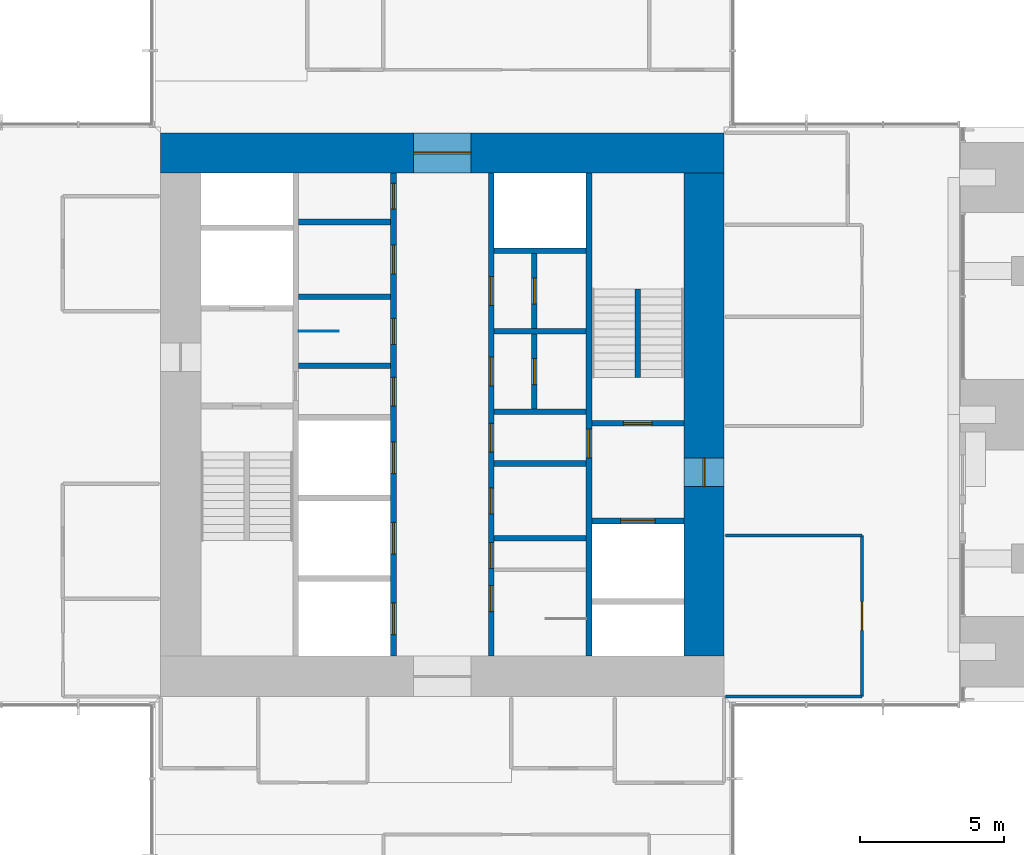
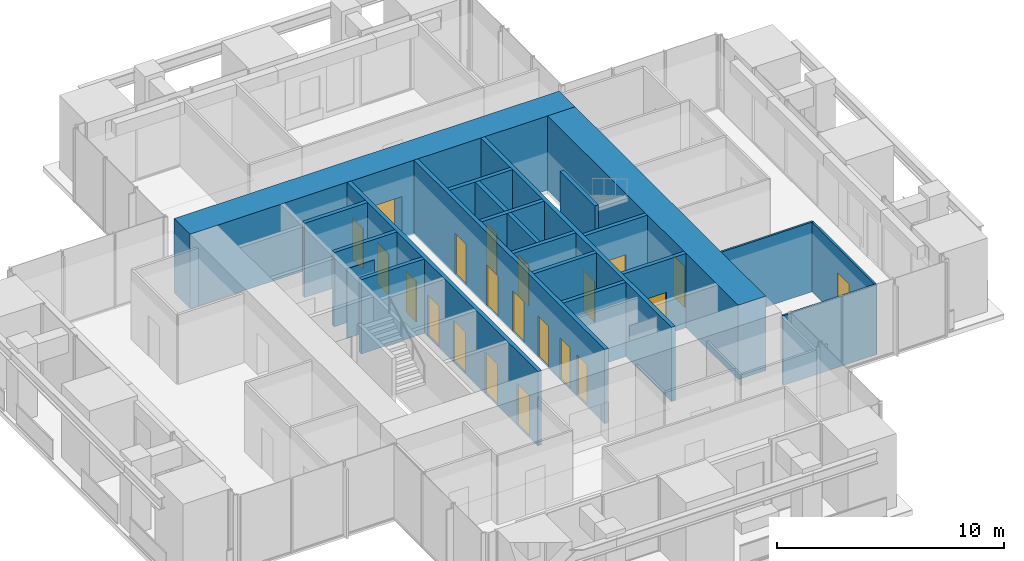
# One storey, part 13 of 17: 22 walls, 21 doors, 21 openings.
"""IFC4 building model written with IfcOpenShell, lengths in metres."""

from ifc_helpers import new_model, si_unit, direction, frame, frame_2d, origin, place, context, subcontext, project, spatial, rectangle, extrude, material, layer, layer_set, type_object, element, fill, save


model = new_model("IFC4")

# Units and contexts
model_context = context("Model", 3, precision=1e-05, world=origin(), true_north=direction((0.0, 1.0)))
body_context = subcontext(model_context, "Body", "Model", "MODEL_VIEW")
ifc_project = project(units=[si_unit("LENGTHUNIT", "METRE"), si_unit("AREAUNIT", "SQUARE_METRE"), si_unit("VOLUMEUNIT", "CUBIC_METRE"), si_unit("PLANEANGLEUNIT", "RADIAN"), si_unit("MASSUNIT", "GRAM", prefix="KILO")], contexts=[model_context])

# Site, building, storey
site_placement = place(None, origin())
site = spatial("IfcSite", under=ifc_project, at=site_placement, CompositionType="ELEMENT")
building_placement = place(site_placement, origin())
building = spatial("IfcBuilding", under=site, at=building_placement, Name="Svetlomir Tower", CompositionType="ELEMENT")
storey_placement = place(building_placement, frame((0.0, 0.0, 194.5)))
storey = spatial("IfcBuildingStorey", under=building, at=storey_placement, Name="L46", CompositionType="ELEMENT", Elevation=194.5)

# Wall, openings, doors
ifc_material_1 = material(Name="Concrete C60/75", Category="concrete")
ifc_layer_1 = layer(ifc_material_1, 0.199951171875)
ifc_layer_set_1 = layer_set([ifc_layer_1], Name="Concrete C60/75")
wall_type_1 = type_object("IfcWallType", Name="CORE INNER WALL 200", PredefinedType="SHEAR", material=ifc_layer_set_1)
wall_1_placement = place(storey_placement, frame((19.300048828125, 12.60009765625, -0.050048828125), z_axis=(0.0, 0.0, 1.0), x_axis=(0.0, 1.0, 0.0)))
wall_1 = element("IfcWall", 1, at=wall_1_placement, inside=storey, type_object=wall_type_1, Name="Core inner wall 19.3 L46", PredefinedType="SHEAR", context=body_context, shape_type="SweptSolid", body=[
    extrude(rectangle(XDim=16.7998046875, YDim=0.199951171875, at=frame_2d((8.39990234375, 0.0))), origin(), (0.0, 0.0, 1.0), 4.0),
])
opening_1_placement = place(wall_1_placement, frame((8.699951171875, 0.0, 0.050048828125)))
opening_1 = element("IfcOpeningElement", 2, at=opening_1_placement, cuts=wall_1, Name="Opening DC", PredefinedType="OPENING", context=body_context, shape_type="SweptSolid", body=[
    extrude(rectangle(XDim=1.0, YDim=2.199951171875, at=frame_2d((0.5, 1.10009765625))), frame((0.0, 0.10986328125, 0.0), z_axis=(0.0, -1.0, 0.0), x_axis=(1.0, 0.0, 0.0)), (0.0, 0.0, 1.0), 0.219970703125),
])
opening_2_placement = place(wall_1_placement, frame((10.85009765625, 0.0, 0.050048828125)))
opening_2 = element("IfcOpeningElement", 3, at=opening_2_placement, cuts=wall_1, Name="Opening DW", PredefinedType="OPENING", context=body_context, shape_type="SweptSolid", body=[
    extrude(rectangle(XDim=0.89990234375, YDim=2.199951171875, at=frame_2d((0.449951171875, 1.10009765625))), frame((0.0, 0.10986328125, 0.0), z_axis=(0.0, -1.0, 0.0), x_axis=(1.0, 0.0, 0.0)), (0.0, 0.0, 1.0), 0.219970703125),
])
opening_3_placement = place(wall_1_placement, frame((13.300048828125, 0.0, 0.050048828125)))
opening_3 = element("IfcOpeningElement", 4, at=opening_3_placement, cuts=wall_1, Name="Opening DC", PredefinedType="OPENING", context=body_context, shape_type="SweptSolid", body=[
    extrude(rectangle(XDim=1.0, YDim=2.199951171875, at=frame_2d((0.5, 1.10009765625))), frame((0.0, 0.10986328125, 0.0), z_axis=(0.0, -1.0, 0.0), x_axis=(1.0, 0.0, 0.0)), (0.0, 0.0, 1.0), 0.219970703125),
])
opening_4_placement = place(wall_1_placement, frame((15.550048828125, 0.0, 0.050048828125)))
opening_4 = element("IfcOpeningElement", 5, at=opening_4_placement, cuts=wall_1, Name="Opening DW", PredefinedType="OPENING", context=body_context, shape_type="SweptSolid", body=[
    extrude(rectangle(XDim=0.89990234375, YDim=2.199951171875, at=frame_2d((0.449951171875, 1.10009765625))), frame((0.0, 0.10986328125, 0.0), z_axis=(0.0, -1.0, 0.0), x_axis=(1.0, 0.0, 0.0)), (0.0, 0.0, 1.0), 0.219970703125),
])
opening_5_placement = place(wall_1_placement, frame((0.75, 0.0, 0.050048828125)))
opening_5 = element("IfcOpeningElement", 6, at=opening_5_placement, cuts=wall_1, Name="Opening LD", PredefinedType="OPENING", context=body_context, shape_type="SweptSolid", body=[
    extrude(rectangle(XDim=1.10009765625, YDim=2.199951171875, at=frame_2d((0.550048828125, 1.10009765625))), frame((0.0, 0.10986328125, 0.0), z_axis=(0.0, -1.0, 0.0), x_axis=(1.0, 0.0, 0.0)), (0.0, 0.0, 1.0), 0.219970703125),
])
opening_6_placement = place(wall_1_placement, frame((3.550048828125, 0.0, 0.050048828125)))
opening_6 = element("IfcOpeningElement", 7, at=opening_6_placement, cuts=wall_1, Name="Opening LD", PredefinedType="OPENING", context=body_context, shape_type="SweptSolid", body=[
    extrude(rectangle(XDim=1.10009765625, YDim=2.199951171875, at=frame_2d((0.550048828125, 1.10009765625))), frame((0.0, 0.10986328125, 0.0), z_axis=(0.0, -1.0, 0.0), x_axis=(1.0, 0.0, 0.0)), (0.0, 0.0, 1.0), 0.219970703125),
])
opening_7_placement = place(wall_1_placement, frame((6.35009765625, 0.0, 0.050048828125)))
opening_7 = element("IfcOpeningElement", 8, at=opening_7_placement, cuts=wall_1, Name="Opening LD", PredefinedType="OPENING", context=body_context, shape_type="SweptSolid", body=[
    extrude(rectangle(XDim=1.10009765625, YDim=2.199951171875, at=frame_2d((0.550048828125, 1.10009765625))), frame((0.0, 0.10986328125, 0.0), z_axis=(0.0, -1.0, 0.0), x_axis=(1.0, 0.0, 0.0)), (0.0, 0.0, 1.0), 0.219970703125),
])
ifc_material_2 = material(Name="Timber fire door", Category="wood")
door_type_1 = type_object("IfcDoorType", Name="DOOR DC 1000x2200", OperationType="SINGLE_SWING_LEFT", PredefinedType="DOOR", material=ifc_material_2)
door_1_placement = place(opening_1_placement, origin())
door_1 = element("IfcDoor", 9, at=door_1_placement, inside=storey, type_object=door_type_1, Name="Core corridor west lobby door L46", OperationType="SINGLE_SWING_RIGHT", OverallHeight=2.199951171875, OverallWidth=1.0, PredefinedType="DOOR", context=body_context, shape_type="SweptSolid", body=[
    extrude(rectangle(XDim=1.0, YDim=2.199951171875, at=frame_2d((0.5, 1.10009765625))), frame((0.0, 0.02490234375, 0.0), z_axis=(0.0, -1.0, 0.0), x_axis=(1.0, 0.0, 0.0)), (0.0, 0.0, 1.0), 0.050048828125),
])
fill(opening_1, door_1)
door_2_placement = place(opening_3_placement, origin())
door_2 = element("IfcDoor", 10, at=door_2_placement, inside=storey, type_object=door_type_1, Name="Accessible WC door L46", OperationType="SINGLE_SWING_LEFT", OverallHeight=2.199951171875, OverallWidth=1.0, PredefinedType="DOOR", context=body_context, shape_type="SweptSolid", body=[
    extrude(rectangle(XDim=1.0, YDim=2.199951171875, at=frame_2d((0.5, 1.10009765625))), frame((0.0, 0.02490234375, 0.0), z_axis=(0.0, -1.0, 0.0), x_axis=(1.0, 0.0, 0.0)), (0.0, 0.0, 1.0), 0.050048828125),
])
fill(opening_3, door_2)
ifc_material_3 = material(Name="Timber fire door", Category="wood")
door_type_2 = type_object("IfcDoorType", Name="DOOR DW 900x2200", OperationType="SINGLE_SWING_LEFT", PredefinedType="DOOR", material=ifc_material_3)
door_3_placement = place(opening_2_placement, origin())
door_3 = element("IfcDoor", 11, at=door_3_placement, inside=storey, type_object=door_type_2, Name="Female WC door L46", OperationType="SINGLE_SWING_RIGHT", OverallHeight=2.199951171875, OverallWidth=0.89990234375, PredefinedType="DOOR", context=body_context, shape_type="SweptSolid", body=[
    extrude(rectangle(XDim=0.89990234375, YDim=2.199951171875, at=frame_2d((0.449951171875, 1.10009765625))), frame((0.0, 0.02490234375, 0.0), z_axis=(0.0, -1.0, 0.0), x_axis=(1.0, 0.0, 0.0)), (0.0, 0.0, 1.0), 0.050048828125),
])
fill(opening_2, door_3)
door_4_placement = place(opening_4_placement, origin())
door_4 = element("IfcDoor", 12, at=door_4_placement, inside=storey, type_object=door_type_2, Name="First aid room door L46", OperationType="SINGLE_SWING_RIGHT", OverallHeight=2.199951171875, OverallWidth=0.89990234375, PredefinedType="DOOR", context=body_context, shape_type="SweptSolid", body=[
    extrude(rectangle(XDim=0.89990234375, YDim=2.199951171875, at=frame_2d((0.449951171875, 1.10009765625))), frame((0.0, 0.02490234375, 0.0), z_axis=(0.0, -1.0, 0.0), x_axis=(1.0, 0.0, 0.0)), (0.0, 0.0, 1.0), 0.050048828125),
])
fill(opening_4, door_4)
ifc_material_4 = material(Name="Stainless steel landing door", Category="steel")
door_type_3 = type_object("IfcDoorType", Name="LIFT LANDING DOOR LD 1100x2200", OperationType="DOUBLE_DOOR_SLIDING", PredefinedType="DOOR", material=ifc_material_4)
door_5_placement = place(opening_5_placement, origin())
door_5 = element("IfcDoor", 13, at=door_5_placement, inside=storey, type_object=door_type_3, Name="Landing door lift LC1 L46", OperationType="DOUBLE_DOOR_SLIDING", OverallHeight=2.199951171875, OverallWidth=1.10009765625, PredefinedType="DOOR", context=body_context, shape_type="SweptSolid", body=[
    extrude(rectangle(XDim=1.10009765625, YDim=2.199951171875, at=frame_2d((0.550048828125, 1.10009765625))), frame((0.0, 0.02490234375, 0.0), z_axis=(0.0, -1.0, 0.0), x_axis=(1.0, 0.0, 0.0)), (0.0, 0.0, 1.0), 0.050048828125),
])
fill(opening_5, door_5)
door_6_placement = place(opening_6_placement, origin())
door_6 = element("IfcDoor", 14, at=door_6_placement, inside=storey, type_object=door_type_3, Name="Landing door lift LC2 L46", OperationType="DOUBLE_DOOR_SLIDING", OverallHeight=2.199951171875, OverallWidth=1.10009765625, PredefinedType="DOOR", context=body_context, shape_type="SweptSolid", body=[
    extrude(rectangle(XDim=1.10009765625, YDim=2.199951171875, at=frame_2d((0.550048828125, 1.10009765625))), frame((0.0, 0.02490234375, 0.0), z_axis=(0.0, -1.0, 0.0), x_axis=(1.0, 0.0, 0.0)), (0.0, 0.0, 1.0), 0.050048828125),
])
fill(opening_6, door_6)
door_7_placement = place(opening_7_placement, origin())
door_7 = element("IfcDoor", 15, at=door_7_placement, inside=storey, type_object=door_type_3, Name="Landing door lift LC3 L46", OperationType="DOUBLE_DOOR_SLIDING", OverallHeight=2.199951171875, OverallWidth=1.10009765625, PredefinedType="DOOR", context=body_context, shape_type="SweptSolid", body=[
    extrude(rectangle(XDim=1.10009765625, YDim=2.199951171875, at=frame_2d((0.550048828125, 1.10009765625))), frame((0.0, 0.02490234375, 0.0), z_axis=(0.0, -1.0, 0.0), x_axis=(1.0, 0.0, 0.0)), (0.0, 0.0, 1.0), 0.050048828125),
])
fill(opening_7, door_7)

wall_2_placement = place(storey_placement, frame((22.699951171875, 12.60009765625, -0.050048828125), z_axis=(0.0, 0.0, 1.0), x_axis=(0.0, 1.0, 0.0)))
wall_2 = element("IfcWall", 16, at=wall_2_placement, inside=storey, type_object=wall_type_1, Name="Core inner wall 22.7 L46", PredefinedType="SHEAR", context=body_context, shape_type="SweptSolid", body=[
    extrude(rectangle(XDim=16.7998046875, YDim=0.199951171875, at=frame_2d((8.39990234375, 0.0))), origin(), (0.0, 0.0, 1.0), 4.0),
])
opening_8_placement = place(wall_2_placement, frame((3.050048828125, 0.0, 0.050048828125)))
opening_8 = element("IfcOpeningElement", 17, at=opening_8_placement, cuts=wall_2, Name="Opening DW", PredefinedType="OPENING", context=body_context, shape_type="SweptSolid", body=[
    extrude(rectangle(XDim=0.89990234375, YDim=2.199951171875, at=frame_2d((0.449951171875, 1.10009765625))), frame((0.0, 0.10986328125, 0.0), z_axis=(0.0, -1.0, 0.0), x_axis=(1.0, 0.0, 0.0)), (0.0, 0.0, 1.0), 0.219970703125),
])
opening_9_placement = place(wall_2_placement, frame((7.10009765625, 0.0, 0.050048828125)))
opening_9 = element("IfcOpeningElement", 18, at=opening_9_placement, cuts=wall_2, Name="Opening DC", PredefinedType="OPENING", context=body_context, shape_type="SweptSolid", body=[
    extrude(rectangle(XDim=1.0, YDim=2.199951171875, at=frame_2d((0.5, 1.10009765625))), frame((0.0, 0.10986328125, 0.0), z_axis=(0.0, -1.0, 0.0), x_axis=(1.0, 0.0, 0.0)), (0.0, 0.0, 1.0), 0.219970703125),
])
opening_10_placement = place(wall_2_placement, frame((1.550048828125, 0.0, 0.050048828125)))
opening_10 = element("IfcOpeningElement", 19, at=opening_10_placement, cuts=wall_2, Name="Opening DW", PredefinedType="OPENING", context=body_context, shape_type="SweptSolid", body=[
    extrude(rectangle(XDim=0.89990234375, YDim=2.199951171875, at=frame_2d((0.449951171875, 1.10009765625))), frame((0.0, 0.10986328125, 0.0), z_axis=(0.0, -1.0, 0.0), x_axis=(1.0, 0.0, 0.0)), (0.0, 0.0, 1.0), 0.219970703125),
])
opening_11_placement = place(wall_2_placement, frame((4.949951171875, 0.0, 0.050048828125)))
opening_11 = element("IfcOpeningElement", 20, at=opening_11_placement, cuts=wall_2, Name="Opening DW", PredefinedType="OPENING", context=body_context, shape_type="SweptSolid", body=[
    extrude(rectangle(XDim=0.89990234375, YDim=2.199951171875, at=frame_2d((0.449951171875, 1.10009765625))), frame((0.0, 0.10986328125, 0.0), z_axis=(0.0, -1.0, 0.0), x_axis=(1.0, 0.0, 0.0)), (0.0, 0.0, 1.0), 0.219970703125),
])
opening_12_placement = place(wall_2_placement, frame((9.39990234375, 0.0, 0.050048828125)))
opening_12 = element("IfcOpeningElement", 21, at=opening_12_placement, cuts=wall_2, Name="Opening DC", PredefinedType="OPENING", context=body_context, shape_type="SweptSolid", body=[
    extrude(rectangle(XDim=1.0, YDim=2.199951171875, at=frame_2d((0.5, 1.10009765625))), frame((0.0, 0.10986328125, 0.0), z_axis=(0.0, -1.0, 0.0), x_axis=(1.0, 0.0, 0.0)), (0.0, 0.0, 1.0), 0.219970703125),
])
opening_13_placement = place(wall_2_placement, frame((12.199951171875, 0.0, 0.050048828125)))
opening_13 = element("IfcOpeningElement", 22, at=opening_13_placement, cuts=wall_2, Name="Opening DC", PredefinedType="OPENING", context=body_context, shape_type="SweptSolid", body=[
    extrude(rectangle(XDim=1.0, YDim=2.199951171875, at=frame_2d((0.5, 1.10009765625))), frame((0.0, 0.10986328125, 0.0), z_axis=(0.0, -1.0, 0.0), x_axis=(1.0, 0.0, 0.0)), (0.0, 0.0, 1.0), 0.219970703125),
])
door_8_placement = place(opening_9_placement, origin())
door_8 = element("IfcDoor", 23, at=door_8_placement, inside=storey, type_object=door_type_1, Name="Core corridor east lobby door L46", OperationType="SINGLE_SWING_LEFT", OverallHeight=2.199951171875, OverallWidth=1.0, PredefinedType="DOOR", context=body_context, shape_type="SweptSolid", body=[
    extrude(rectangle(XDim=1.0, YDim=2.199951171875, at=frame_2d((0.5, 1.10009765625))), frame((0.0, 0.02490234375, 0.0), z_axis=(0.0, -1.0, 0.0), x_axis=(1.0, 0.0, 0.0)), (0.0, 0.0, 1.0), 0.050048828125),
])
fill(opening_9, door_8)
door_9_placement = place(opening_12_placement, origin())
door_9 = element("IfcDoor", 24, at=door_9_placement, inside=storey, type_object=door_type_1, Name="Converted shaft BANK-E1 room door L46", OperationType="SINGLE_SWING_LEFT", OverallHeight=2.199951171875, OverallWidth=1.0, PredefinedType="DOOR", context=body_context, shape_type="SweptSolid", body=[
    extrude(rectangle(XDim=1.0, YDim=2.199951171875, at=frame_2d((0.5, 1.10009765625))), frame((0.0, 0.02490234375, 0.0), z_axis=(0.0, -1.0, 0.0), x_axis=(1.0, 0.0, 0.0)), (0.0, 0.0, 1.0), 0.050048828125),
])
fill(opening_12, door_9)
door_10_placement = place(opening_13_placement, origin())
door_10 = element("IfcDoor", 25, at=door_10_placement, inside=storey, type_object=door_type_1, Name="Converted shaft BANK-E2 room door L46", OperationType="SINGLE_SWING_LEFT", OverallHeight=2.199951171875, OverallWidth=1.0, PredefinedType="DOOR", context=body_context, shape_type="SweptSolid", body=[
    extrude(rectangle(XDim=1.0, YDim=2.199951171875, at=frame_2d((0.5, 1.10009765625))), frame((0.0, 0.02490234375, 0.0), z_axis=(0.0, -1.0, 0.0), x_axis=(1.0, 0.0, 0.0)), (0.0, 0.0, 1.0), 0.050048828125),
])
fill(opening_13, door_10)
door_11_placement = place(opening_8_placement, origin())
door_11 = element("IfcDoor", 26, at=door_11_placement, inside=storey, type_object=door_type_2, Name="Shower and changing room door L46", OperationType="SINGLE_SWING_LEFT", OverallHeight=2.199951171875, OverallWidth=0.89990234375, PredefinedType="DOOR", context=body_context, shape_type="SweptSolid", body=[
    extrude(rectangle(XDim=0.89990234375, YDim=2.199951171875, at=frame_2d((0.449951171875, 1.10009765625))), frame((0.0, 0.02490234375, 0.0), z_axis=(0.0, -1.0, 0.0), x_axis=(1.0, 0.0, 0.0)), (0.0, 0.0, 1.0), 0.050048828125),
])
fill(opening_8, door_11)
door_12_placement = place(opening_10_placement, origin())
door_12 = element("IfcDoor", 27, at=door_12_placement, inside=storey, type_object=door_type_2, Name="Male WC door L46", OperationType="SINGLE_SWING_RIGHT", OverallHeight=2.199951171875, OverallWidth=0.89990234375, PredefinedType="DOOR", context=body_context, shape_type="SweptSolid", body=[
    extrude(rectangle(XDim=0.89990234375, YDim=2.199951171875, at=frame_2d((0.449951171875, 1.10009765625))), frame((0.0, 0.02490234375, 0.0), z_axis=(0.0, -1.0, 0.0), x_axis=(1.0, 0.0, 0.0)), (0.0, 0.0, 1.0), 0.050048828125),
])
fill(opening_10, door_12)
door_13_placement = place(opening_11_placement, origin())
door_13 = element("IfcDoor", 28, at=door_13_placement, inside=storey, type_object=door_type_2, Name="Comms room door L46", OperationType="SINGLE_SWING_RIGHT", OverallHeight=2.199951171875, OverallWidth=0.89990234375, PredefinedType="DOOR", context=body_context, shape_type="SweptSolid", body=[
    extrude(rectangle(XDim=0.89990234375, YDim=2.199951171875, at=frame_2d((0.449951171875, 1.10009765625))), frame((0.0, 0.02490234375, 0.0), z_axis=(0.0, -1.0, 0.0), x_axis=(1.0, 0.0, 0.0)), (0.0, 0.0, 1.0), 0.050048828125),
])
fill(opening_11, door_13)

# Wall, opening, door
wall_3_placement = place(storey_placement, frame((26.10009765625, 12.60009765625, -0.050048828125), z_axis=(0.0, 0.0, 1.0), x_axis=(0.0, 1.0, 0.0)))
wall_3 = element("IfcWall", 29, at=wall_3_placement, inside=storey, type_object=wall_type_1, Name="Core inner wall 26.1 L46", PredefinedType="SHEAR", context=body_context, shape_type="SweptSolid", body=[
    extrude(rectangle(XDim=16.7998046875, YDim=0.199951171875, at=frame_2d((8.39990234375, 0.0))), origin(), (0.0, 0.0, 1.0), 4.0),
])
opening_14_placement = place(wall_3_placement, frame((6.89990234375, 0.0, 0.050048828125)))
opening_14 = element("IfcOpeningElement", 30, at=opening_14_placement, cuts=wall_3, Name="Opening DF", PredefinedType="OPENING", context=body_context, shape_type="SweptSolid", body=[
    extrude(rectangle(XDim=1.0, YDim=2.199951171875, at=frame_2d((0.5, 1.10009765625))), frame((0.0, 0.10986328125, 0.0), z_axis=(0.0, -1.0, 0.0), x_axis=(1.0, 0.0, 0.0)), (0.0, 0.0, 1.0), 0.219970703125),
])
ifc_material_5 = material(Name="Steel fire door", Category="steel")
door_type_4 = type_object("IfcDoorType", Name="DOOR DF 1000x2200", OperationType="SINGLE_SWING_LEFT", PredefinedType="DOOR", material=ifc_material_5)
door_14_placement = place(opening_14_placement, origin())
door_14 = element("IfcDoor", 31, at=door_14_placement, inside=storey, type_object=door_type_4, Name="Core corridor east door L46", OperationType="SINGLE_SWING_LEFT", OverallHeight=2.199951171875, OverallWidth=1.0, PredefinedType="DOOR", context=body_context, shape_type="SweptSolid", body=[
    extrude(rectangle(XDim=1.0, YDim=2.199951171875, at=frame_2d((0.5, 1.10009765625))), frame((0.0, 0.02490234375, 0.0), z_axis=(0.0, -1.0, 0.0), x_axis=(1.0, 0.0, 0.0)), (0.0, 0.0, 1.0), 0.050048828125),
])
fill(opening_14, door_14)

# Walls
for number, where, z_axis, x_axis, name in (
    (32, (16.0, 22.699951171875, -0.050048828125), (0.0, 0.0, 1.0), (1.0, 0.0, 0.0), "Core inner wall 16-19.2/22.7 L46"),
    (33, (16.0, 25.10009765625, -0.050048828125), (0.0, 0.0, 1.0), (1.0, 0.0, 0.0), "Core inner wall 16-19.2/25.1 L46"),
    (34, (16.0, 27.699951171875, -0.050048828125), (0.0, 0.0, 1.0), (1.0, 0.0, 0.0), "Core inner wall 16-19.2/27.7 L46"),
    (35, (22.800048828125, 16.699951171875, -0.050048828125), (0.0, 0.0, 1.0), (1.0, 0.0, 0.0), "Core inner wall 22.8-26/16.7 L46"),
    (36, (22.800048828125, 19.300048828125, -0.050048828125), (0.0, 0.0, 1.0), (1.0, 0.0, 0.0), "Core inner wall 22.8-26/19.3 L46"),
    (37, (22.800048828125, 21.10009765625, -0.050048828125), (0.0, 0.0, 1.0), (1.0, 0.0, 0.0), "Core inner wall 22.8-26/21.1 L46"),
    (38, (22.800048828125, 23.89990234375, -0.050048828125), (0.0, 0.0, 1.0), (1.0, 0.0, 0.0), "Core inner wall 22.8-26/23.9 L46"),
    (39, (22.800048828125, 26.699951171875, -0.050048828125), (0.0, 0.0, 1.0), (1.0, 0.0, 0.0), "Core inner wall 22.8-26/26.7 L46"),
):
    element("IfcWall", number, at=place(storey_placement, frame(where, z_axis=z_axis, x_axis=x_axis)), inside=storey, type_object=wall_type_1, Name=name, PredefinedType="SHEAR", context=body_context, shape_type="SweptSolid", body=[
        extrude(rectangle(XDim=3.199951171875, YDim=0.199951171875, at=frame_2d((1.60009765625, 0.0))), origin(), (0.0, 0.0, 1.0), 4.0),
    ])

# Wall, opening, door
wall_4_placement = place(storey_placement, frame((26.199951171875, 17.300048828125, -0.050048828125), z_axis=(0.0, 0.0, 1.0), x_axis=(1.0, 0.0, 0.0)))
wall_4 = element("IfcWall", 40, at=wall_4_placement, inside=storey, type_object=wall_type_1, Name="Core inner wall 26.2-29.4/17.3 L46", PredefinedType="SHEAR", context=body_context, shape_type="SweptSolid", body=[
    extrude(rectangle(XDim=3.199951171875, YDim=0.199951171875, at=frame_2d((1.60009765625, 0.0))), origin(), (0.0, 0.0, 1.0), 4.0),
])
opening_15_placement = place(wall_4_placement, frame((1.0, 0.0, 0.050048828125)))
opening_15 = element("IfcOpeningElement", 41, at=opening_15_placement, cuts=wall_4, Name="Opening LD3", PredefinedType="OPENING", context=body_context, shape_type="SweptSolid", body=[
    extrude(rectangle(XDim=1.199951171875, YDim=2.199951171875, at=frame_2d((0.60009765625, 1.10009765625))), frame((0.0, 0.10986328125, 0.0), z_axis=(0.0, -1.0, 0.0), x_axis=(1.0, 0.0, 0.0)), (0.0, 0.0, 1.0), 0.219970703125),
])
ifc_material_6 = material(Name="Stainless steel fire-rated landing door", Category="steel")
door_type_5 = type_object("IfcDoorType", Name="FIREFIGHTING LIFT LANDING DOOR LD3 1200x2200", OperationType="DOUBLE_DOOR_SLIDING", PredefinedType="DOOR", material=ifc_material_6)
door_15_placement = place(opening_15_placement, origin())
door_15 = element("IfcDoor", 42, at=door_15_placement, inside=storey, type_object=door_type_5, Name="Landing door lift FL2 L46", OperationType="DOUBLE_DOOR_SLIDING", OverallHeight=2.199951171875, OverallWidth=1.199951171875, PredefinedType="DOOR", context=body_context, shape_type="SweptSolid", body=[
    extrude(rectangle(XDim=1.199951171875, YDim=2.199951171875, at=frame_2d((0.60009765625, 1.10009765625))), frame((0.0, 0.02490234375, 0.0), z_axis=(0.0, -1.0, 0.0), x_axis=(1.0, 0.0, 0.0)), (0.0, 0.0, 1.0), 0.050048828125),
])
fill(opening_15, door_15)

wall_5_placement = place(storey_placement, frame((26.199951171875, 20.699951171875, -0.050048828125), z_axis=(0.0, 0.0, 1.0), x_axis=(1.0, 0.0, 0.0)))
wall_5 = element("IfcWall", 43, at=wall_5_placement, inside=storey, type_object=wall_type_1, Name="Core inner wall 26.2-29.4/20.7 L46", PredefinedType="SHEAR", context=body_context, shape_type="SweptSolid", body=[
    extrude(rectangle(XDim=3.199951171875, YDim=0.199951171875, at=frame_2d((1.60009765625, 0.0))), origin(), (0.0, 0.0, 1.0), 4.0),
])
opening_16_placement = place(wall_5_placement, frame((1.10009765625, 0.0, 0.050048828125)))
opening_16 = element("IfcOpeningElement", 44, at=opening_16_placement, cuts=wall_5, Name="Opening DF", PredefinedType="OPENING", context=body_context, shape_type="SweptSolid", body=[
    extrude(rectangle(XDim=1.0, YDim=2.199951171875, at=frame_2d((0.5, 1.10009765625))), frame((0.0, 0.10986328125, 0.0), z_axis=(0.0, -1.0, 0.0), x_axis=(1.0, 0.0, 0.0)), (0.0, 0.0, 1.0), 0.219970703125),
])
door_16_placement = place(opening_16_placement, origin())
door_16 = element("IfcDoor", 45, at=door_16_placement, inside=storey, type_object=door_type_4, Name="Stair S2 door L46", OperationType="SINGLE_SWING_LEFT", OverallHeight=2.199951171875, OverallWidth=1.0, PredefinedType="DOOR", context=body_context, shape_type="SweptSolid", body=[
    extrude(rectangle(XDim=1.0, YDim=2.199951171875, at=frame_2d((0.5, 1.10009765625))), frame((0.0, 0.02490234375, 0.0), z_axis=(0.0, -1.0, 0.0), x_axis=(1.0, 0.0, 0.0)), (0.0, 0.0, 1.0), 0.050048828125),
])
fill(opening_16, door_16)

wall_6_placement = place(storey_placement, frame((24.199951171875, 21.199951171875, -0.050048828125), z_axis=(0.0, 0.0, 1.0), x_axis=(0.0, 1.0, 0.0)))
wall_6 = element("IfcWall", 46, at=wall_6_placement, inside=storey, type_object=wall_type_1, Name="Core inner wall 24.2/21.2-23.8 L46", PredefinedType="SHEAR", context=body_context, shape_type="SweptSolid", body=[
    extrude(rectangle(XDim=2.60009765625, YDim=0.199951171875, at=frame_2d((1.300048828125, 0.0))), origin(), (0.0, 0.0, 1.0), 4.0),
])
opening_17_placement = place(wall_6_placement, frame((0.85009765625, 0.0, 0.050048828125)))
opening_17 = element("IfcOpeningElement", 47, at=opening_17_placement, cuts=wall_6, Name="Opening DW", PredefinedType="OPENING", context=body_context, shape_type="SweptSolid", body=[
    extrude(rectangle(XDim=0.89990234375, YDim=2.199951171875, at=frame_2d((0.449951171875, 1.10009765625))), frame((0.0, 0.10986328125, 0.0), z_axis=(0.0, -1.0, 0.0), x_axis=(1.0, 0.0, 0.0)), (0.0, 0.0, 1.0), 0.219970703125),
])
door_17_placement = place(opening_17_placement, origin())
door_17 = element("IfcDoor", 48, at=door_17_placement, inside=storey, type_object=door_type_2, Name="Converted shaft BANK-E1 back room door L46", OperationType="SINGLE_SWING_RIGHT", OverallHeight=2.199951171875, OverallWidth=0.89990234375, PredefinedType="DOOR", context=body_context, shape_type="SweptSolid", body=[
    extrude(rectangle(XDim=0.89990234375, YDim=2.199951171875, at=frame_2d((0.449951171875, 1.10009765625))), frame((0.0, 0.02490234375, 0.0), z_axis=(0.0, -1.0, 0.0), x_axis=(1.0, 0.0, 0.0)), (0.0, 0.0, 1.0), 0.050048828125),
])
fill(opening_17, door_17)

wall_7_placement = place(storey_placement, frame((24.199951171875, 24.0, -0.050048828125), z_axis=(0.0, 0.0, 1.0), x_axis=(0.0, 1.0, 0.0)))
wall_7 = element("IfcWall", 49, at=wall_7_placement, inside=storey, type_object=wall_type_1, Name="Core inner wall 24.2/24-26.6 L46", PredefinedType="SHEAR", context=body_context, shape_type="SweptSolid", body=[
    extrude(rectangle(XDim=2.60009765625, YDim=0.199951171875, at=frame_2d((1.300048828125, 0.0))), origin(), (0.0, 0.0, 1.0), 4.0),
])
opening_18_placement = place(wall_7_placement, frame((0.85009765625, 0.0, 0.050048828125)))
opening_18 = element("IfcOpeningElement", 50, at=opening_18_placement, cuts=wall_7, Name="Opening DW", PredefinedType="OPENING", context=body_context, shape_type="SweptSolid", body=[
    extrude(rectangle(XDim=0.89990234375, YDim=2.199951171875, at=frame_2d((0.449951171875, 1.10009765625))), frame((0.0, 0.10986328125, 0.0), z_axis=(0.0, -1.0, 0.0), x_axis=(1.0, 0.0, 0.0)), (0.0, 0.0, 1.0), 0.219970703125),
])
door_18_placement = place(opening_18_placement, origin())
door_18 = element("IfcDoor", 51, at=door_18_placement, inside=storey, type_object=door_type_2, Name="Converted shaft BANK-E2 back room door L46", OperationType="SINGLE_SWING_RIGHT", OverallHeight=2.199951171875, OverallWidth=0.89990234375, PredefinedType="DOOR", context=body_context, shape_type="SweptSolid", body=[
    extrude(rectangle(XDim=0.89990234375, YDim=2.199951171875, at=frame_2d((0.449951171875, 1.10009765625))), frame((0.0, 0.02490234375, 0.0), z_axis=(0.0, -1.0, 0.0), x_axis=(1.0, 0.0, 0.0)), (0.0, 0.0, 1.0), 0.050048828125),
])
fill(opening_18, door_18)

ifc_material_7 = material(Name="Concrete C60/75", Category="concrete")
ifc_layer_2 = layer(ifc_material_7, 1.39990234375)
ifc_layer_set_2 = layer_set([ifc_layer_2], Name="Concrete C60/75")
wall_type_2 = type_object("IfcWallType", Name="CORE WALL 1400", PredefinedType="SHEAR", material=ifc_layer_set_2)
wall_8_placement = place(storey_placement, frame((11.199951171875, 30.10009765625, -0.050048828125), z_axis=(0.0, 0.0, 1.0), x_axis=(1.0, 0.0, 0.0)))
wall_8 = element("IfcWall", 52, at=wall_8_placement, inside=storey, type_object=wall_type_2, Name="Core wall north L46", PredefinedType="SHEAR", context=body_context, shape_type="SweptSolid", body=[
    extrude(rectangle(XDim=19.60009765625, YDim=1.39990234375, at=frame_2d((9.800048828125, 0.0))), origin(), (0.0, 0.0, 1.0), 4.0),
])
opening_19_placement = place(wall_8_placement, frame((8.800048828125, 0.0, 0.050048828125)))
opening_19 = element("IfcOpeningElement", 53, at=opening_19_placement, cuts=wall_8, Name="Opening DL", PredefinedType="OPENING", context=body_context, shape_type="SweptSolid", body=[
    extrude(rectangle(XDim=2.0, YDim=2.199951171875, at=frame_2d((1.0, 1.10009765625))), frame((0.0, 0.7099609375, 0.0), z_axis=(0.0, -1.0, 0.0), x_axis=(1.0, 0.0, 0.0)), (0.0, 0.0, 1.0), 1.419921875),
])
ifc_material_8 = material(Name="Steel fire door", Category="steel")
door_type_6 = type_object("IfcDoorType", Name="DOOR DL 2000x2200", OperationType="DOUBLE_DOOR_SINGLE_SWING", PredefinedType="DOOR", material=ifc_material_8)
door_19_placement = place(opening_19_placement, origin())
door_19 = element("IfcDoor", 54, at=door_19_placement, inside=storey, type_object=door_type_6, Name="Lift lobby north door L46", OperationType="DOUBLE_DOOR_SINGLE_SWING", OverallHeight=2.199951171875, OverallWidth=2.0, PredefinedType="DOOR", context=body_context, shape_type="SweptSolid", body=[
    extrude(rectangle(XDim=2.0, YDim=2.199951171875, at=frame_2d((1.0, 1.10009765625))), frame((0.0, 0.02490234375, 0.0), z_axis=(0.0, -1.0, 0.0), x_axis=(1.0, 0.0, 0.0)), (0.0, 0.0, 1.0), 0.050048828125),
])
fill(opening_19, door_19)

wall_9_placement = place(storey_placement, frame((30.10009765625, 12.60009765625, -0.050048828125), z_axis=(0.0, 0.0, 1.0), x_axis=(0.0, 1.0, 0.0)))
wall_9 = element("IfcWall", 55, at=wall_9_placement, inside=storey, type_object=wall_type_2, Name="Core wall east L46", PredefinedType="SHEAR", context=body_context, shape_type="SweptSolid", body=[
    extrude(rectangle(XDim=16.7998046875, YDim=1.39990234375, at=frame_2d((8.39990234375, 0.0))), origin(), (0.0, 0.0, 1.0), 4.0),
])
opening_20_placement = place(wall_9_placement, frame((5.89990234375, 0.0, 0.050048828125)))
opening_20 = element("IfcOpeningElement", 56, at=opening_20_placement, cuts=wall_9, Name="Opening DF", PredefinedType="OPENING", context=body_context, shape_type="SweptSolid", body=[
    extrude(rectangle(XDim=1.0, YDim=2.199951171875, at=frame_2d((0.5, 1.10009765625))), frame((0.0, 0.7099609375, 0.0), z_axis=(0.0, -1.0, 0.0), x_axis=(1.0, 0.0, 0.0)), (0.0, 0.0, 1.0), 1.419921875),
])
door_20_placement = place(opening_20_placement, origin())
door_20 = element("IfcDoor", 57, at=door_20_placement, inside=storey, type_object=door_type_4, Name="Firefighting lobby east door L46", OperationType="SINGLE_SWING_LEFT", OverallHeight=2.199951171875, OverallWidth=1.0, PredefinedType="DOOR", context=body_context, shape_type="SweptSolid", body=[
    extrude(rectangle(XDim=1.0, YDim=2.199951171875, at=frame_2d((0.5, 1.10009765625))), frame((0.0, 0.02490234375, 0.0), z_axis=(0.0, -1.0, 0.0), x_axis=(1.0, 0.0, 0.0)), (0.0, 0.0, 1.0), 0.050048828125),
])
fill(opening_20, door_20)

# Walls
ifc_material_9 = material(Name="Framed laminated glass partition", Category="glass")
ifc_layer_3 = layer(ifc_material_9, 0.10009765625)
ifc_layer_set_3 = layer_set([ifc_layer_3], Name="Framed laminated glass partition")
wall_type_3 = type_object("IfcWallType", Name="GLAZED PARTITION 100", PredefinedType="PARTITIONING", material=ifc_layer_set_3)
for number, where, z_axis, x_axis, name in (
    (58, (30.85009765625, 11.199951171875, 0.0), (0.0, 0.0, 1.0), (1.0, 0.0, 0.0), "Glazed partition L46"),
    (59, (30.85009765625, 16.800048828125, 0.0), (0.0, 0.0, 1.0), (1.0, 0.0, 0.0), "Glazed partition L46"),
):
    element("IfcWall", number, at=place(storey_placement, frame(where, z_axis=z_axis, x_axis=x_axis)), inside=storey, type_object=wall_type_3, Name=name, PredefinedType="PARTITIONING", context=body_context, shape_type="SweptSolid", body=[
        extrude(rectangle(XDim=4.75, YDim=0.10009765625, at=frame_2d((2.375, 0.0))), origin(), (0.0, 0.0, 1.0), 3.75),
    ])

# Wall, opening, door
wall_10_placement = place(storey_placement, frame((35.60009765625, 11.199951171875, 0.0), z_axis=(0.0, 0.0, 1.0), x_axis=(0.0, 1.0, 0.0)))
wall_10 = element("IfcWall", 60, at=wall_10_placement, inside=storey, type_object=wall_type_3, Name="Glazed partition L46", PredefinedType="PARTITIONING", context=body_context, shape_type="SweptSolid", body=[
    extrude(rectangle(XDim=5.60009765625, YDim=0.10009765625, at=frame_2d((2.800048828125, 0.0))), origin(), (0.0, 0.0, 1.0), 3.75),
])
opening_21_placement = place(wall_10_placement, frame((2.300048828125, 0.0, 0.0)))
opening_21 = element("IfcOpeningElement", 61, at=opening_21_placement, cuts=wall_10, Name="Opening DG", PredefinedType="OPENING", context=body_context, shape_type="SweptSolid", body=[
    extrude(rectangle(XDim=1.0, YDim=2.39990234375, at=frame_2d((0.5, 1.199951171875))), frame((0.0, 0.06005859375, 0.0), z_axis=(0.0, -1.0, 0.0), x_axis=(1.0, 0.0, 0.0)), (0.0, 0.0, 1.0), 0.1201171875),
])
ifc_material_10 = material(Name="Framed laminated glass door", Category="glass")
door_type_7 = type_object("IfcDoorType", Name="GLAZED DOOR DG 1000x2400", OperationType="SINGLE_SWING_LEFT", PredefinedType="DOOR", material=ifc_material_10)
door_21_placement = place(opening_21_placement, origin())
door_21 = element("IfcDoor", 62, at=door_21_placement, inside=storey, type_object=door_type_7, Name="Claims panel room, 12 seats door L46", OperationType="SINGLE_SWING_RIGHT", OverallHeight=2.39990234375, OverallWidth=1.0, PredefinedType="DOOR", context=body_context, shape_type="SweptSolid", body=[
    extrude(rectangle(XDim=1.0, YDim=2.39990234375, at=frame_2d((0.5, 1.199951171875))), frame((0.0, 0.02490234375, 0.0), z_axis=(0.0, -1.0, 0.0), x_axis=(1.0, 0.0, 0.0)), (0.0, 0.0, 1.0), 0.050048828125),
])
fill(opening_21, door_21)

# Walls
ifc_material_11 = material(Name="Concrete C60/75", Category="concrete")
ifc_layer_4 = layer(ifc_material_11, 0.199951171875)
ifc_layer_set_4 = layer_set([ifc_layer_4], Name="Concrete C60/75")
wall_type_4 = type_object("IfcWallType", Name="STAIR SPINE WALL 200", PredefinedType="PARTITIONING", material=ifc_layer_set_4)
wall_11_placement = place(storey_placement, frame((27.800048828125, 22.300048828125, 0.0), z_axis=(0.0, 0.0, 1.0), x_axis=(0.0, 1.0, 0.0)))
element("IfcWall", 63, at=wall_11_placement, inside=storey, type_object=wall_type_4, Name="Stair S2 spine wall L46", PredefinedType="PARTITIONING", context=body_context, shape_type="SweptSolid", body=[
    extrude(rectangle(XDim=3.079833984375, YDim=0.199951171875, at=frame_2d((1.5400390625, 0.0))), origin(), (0.0, 0.0, 1.0), 4.0),
])
ifc_material_12 = material(Name="Compact laminate panel", Category="plastic")
ifc_layer_5 = layer(ifc_material_12, 0.030029296875)
ifc_layer_set_5 = layer_set([ifc_layer_5], Name="Compact laminate panel")
wall_type_5 = type_object("IfcWallType", Name="WC CUBICLE PARTITION 30", PredefinedType="PARTITIONING", material=ifc_layer_set_5)
wall_12_placement = place(storey_placement, frame((16.0, 23.89990234375, 0.0), z_axis=(0.0, 0.0, 1.0), x_axis=(1.0, 0.0, 0.0)))
element("IfcWall", 64, at=wall_12_placement, inside=storey, type_object=wall_type_5, Name="WC cubicle partition L46", PredefinedType="PARTITIONING", context=body_context, shape_type="SweptSolid", body=[
    extrude(rectangle(XDim=1.39990234375, YDim=0.030029296875, at=frame_2d((0.699951171875, 0.0))), origin(), (0.0, 0.0, 1.0), 3.75),
])

save(model, "model.ifc")
